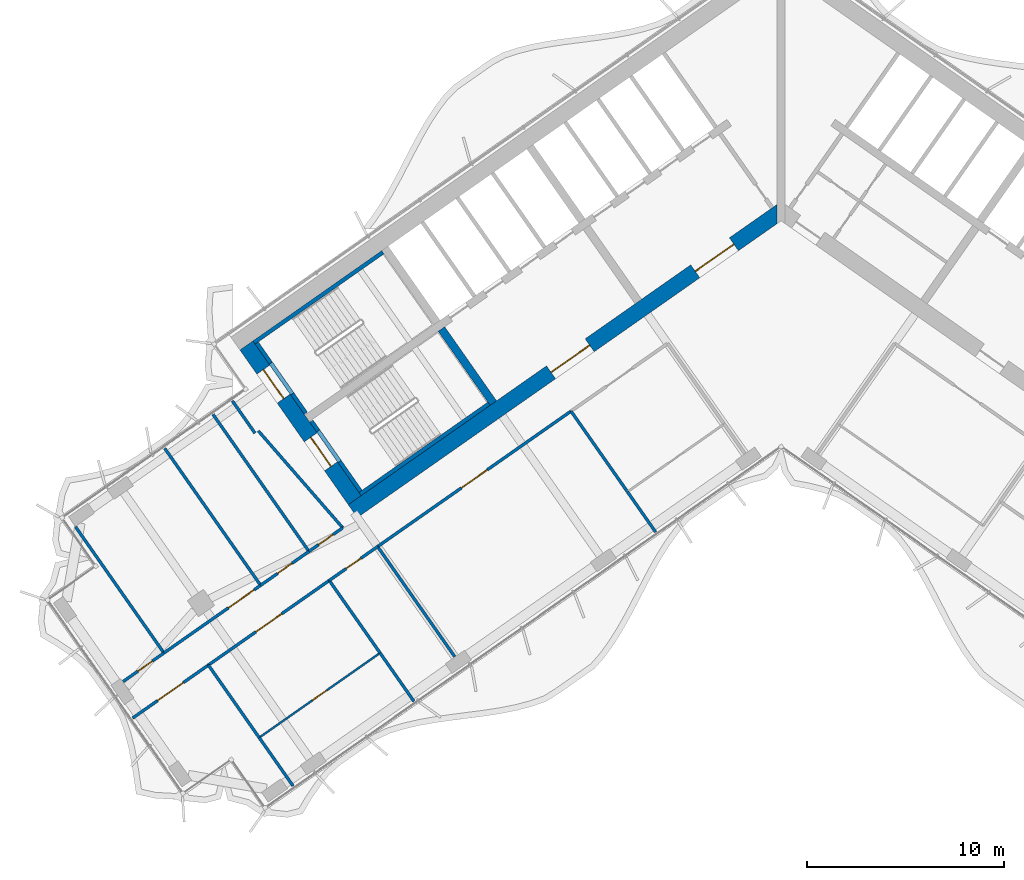
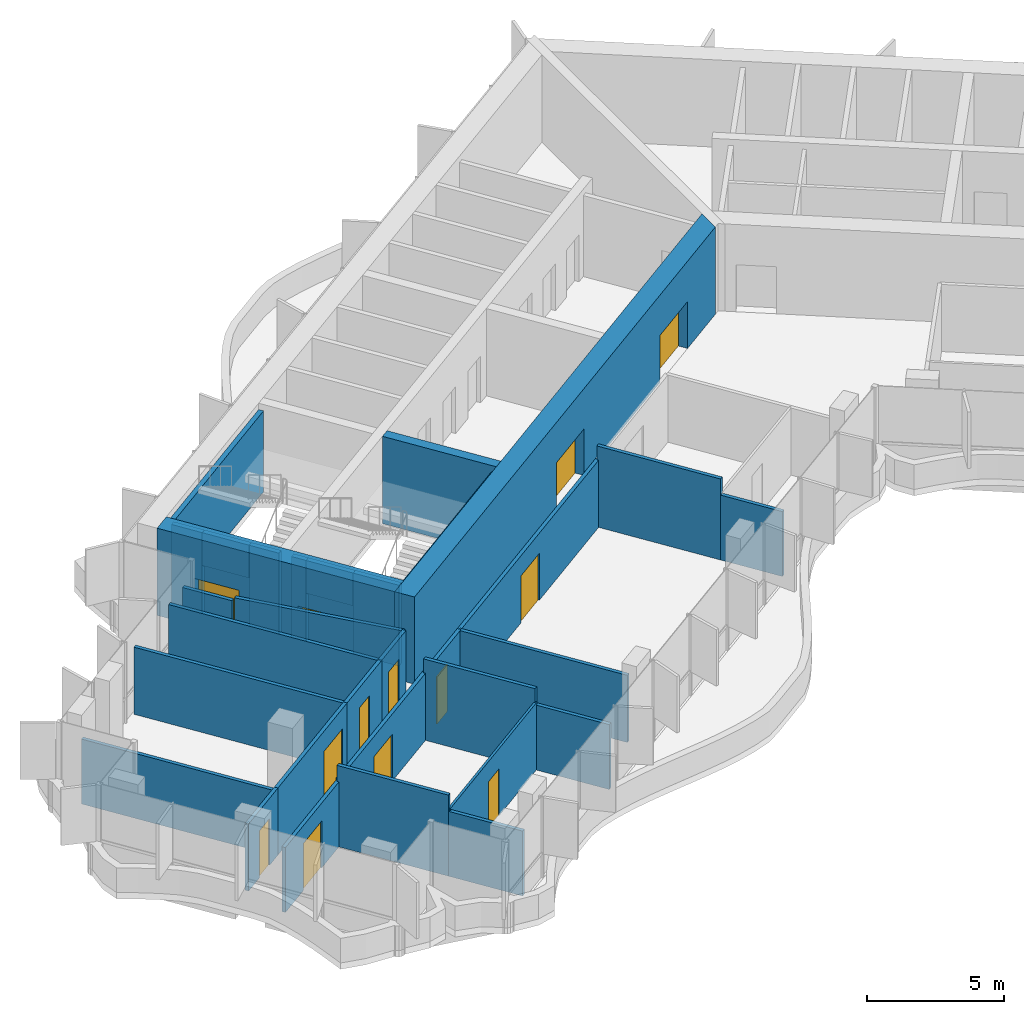
# One storey, part 14 of 23: 32 walls, 13 doors, 13 openings.
"""IFC4 building model written with IfcOpenShell, lengths in metres."""

from ifc_helpers import new_model, si_unit, direction, frame, frame_2d, origin, place, context, subcontext, project, spatial, polyline, rectangle, outline, extrude, material, layer, layer_set, type_object, element, fill, save


model = new_model("IFC4")

# Units and contexts
model_context = context("Model", 3, precision=1e-05, world=origin(), true_north=direction((0.0, 1.0)))
body_context = subcontext(model_context, "Body", "Model", "MODEL_VIEW")
ifc_project = project(units=[si_unit("LENGTHUNIT", "METRE"), si_unit("AREAUNIT", "SQUARE_METRE"), si_unit("VOLUMEUNIT", "CUBIC_METRE"), si_unit("PLANEANGLEUNIT", "RADIAN"), si_unit("MASSUNIT", "GRAM", prefix="KILO")], contexts=[model_context])

# Site, building, storey
site_placement = place(None, origin())
site = spatial("IfcSite", under=ifc_project, at=site_placement, CompositionType="ELEMENT")
building_placement = place(site_placement, origin())
building = spatial("IfcBuilding", under=site, at=building_placement, Name="Tel Ilan Convention Tower", CompositionType="ELEMENT")
storey_placement = place(building_placement, frame((0.0, 0.0, 178.800048828125)))
storey = spatial("IfcBuildingStorey", under=building, at=storey_placement, Name="L41", CompositionType="ELEMENT", Elevation=178.800048828125)

# Wall
ifc_material_1 = material(Name="Concrete C50/60", Category="concrete")
ifc_layer_1 = layer(ifc_material_1, 0.39990234375)
ifc_layer_set_1 = layer_set([ifc_layer_1], Name="Core Shear Wall 400 mm C50/60")
wall_type_1 = type_object("IfcWallType", Name="Core Shear Wall 400 mm C50/60", PredefinedType="SHEAR", material=ifc_layer_set_1)
wall_1_placement = place(storey_placement, frame((-14.6298828125, -10.48828125, 0.0), z_axis=(0.0, 0.0, 1.0), x_axis=(-0.573611936273, 0.819127185829, 0.0)))
element("IfcWall", 1, at=wall_1_placement, inside=storey, type_object=wall_type_1, Name="L41 core wall W-cross2-1", PredefinedType="SHEAR", context=body_context, shape_type="SweptSolid", body=[
    extrude(outline(polyline([(4.60009765625, 0.199951171875), (0.000244140625, 0.2001953125), (0.000244140625, -0.199951171875), (4.60009765625, -0.2001953125), (4.60009765625, 0.199951171875)])), origin(), (0.0, 0.0, 1.0), 3.89990234375),
])

# Wall, openings, doors
ifc_material_2 = material(Name="Concrete C50/60", Category="concrete")
ifc_layer_2 = layer(ifc_material_2, 0.800048828125)
ifc_layer_set_2 = layer_set([ifc_layer_2], Name="Core Shear Wall 800 mm C50/60")
wall_type_2 = type_object("IfcWallType", Name="Core Shear Wall 800 mm C50/60", PredefinedType="SHEAR", material=ifc_layer_set_2)
wall_2_placement = place(storey_placement, frame((0.029296875, -0.7119140625, 0.0), z_axis=(0.0, 0.0, 1.0), x_axis=(-0.819151758019, -0.573576845187, 0.0)))
wall_2 = element("IfcWall", 2, at=wall_2_placement, inside=storey, type_object=wall_type_2, Name="L41 core wall W-front", PredefinedType="SHEAR", context=body_context, shape_type="SweptSolid", body=[
    extrude(outline(polyline([(26.61572265625, 0.39990234375), (0.56005859375, 0.39990234375), (-0.000244140625, -0.39990234375), (26.61572265625, -0.39990234375), (26.61572265625, 0.39990234375)])), origin(), (0.0, 0.0, 1.0), 3.89990234375),
])
opening_1_placement = place(wall_2_placement, frame((2.9658203125, 0.0, 0.0)))
opening_1 = element("IfcOpeningElement", 3, at=opening_1_placement, cuts=wall_2, Name="Opening CD3105", PredefinedType="OPENING", context=body_context, shape_type="SweptSolid", body=[
    extrude(rectangle(XDim=2.39990234375, YDim=2.10009765625, at=frame_2d((1.199951171875, 1.050048828125))), frame((0.0, 0.409912109375, 0.0), z_axis=(0.0, -1.0, 0.0), x_axis=(1.0, 0.0, 0.0)), (0.0, 0.0, 1.0), 0.820068359375),
])
opening_2_placement = place(wall_2_placement, frame((11.915771484375, 0.0, 0.0)))
opening_2 = element("IfcOpeningElement", 4, at=opening_2_placement, cuts=wall_2, Name="Opening CD3106", PredefinedType="OPENING", context=body_context, shape_type="SweptSolid", body=[
    extrude(rectangle(XDim=2.39990234375, YDim=2.10009765625, at=frame_2d((1.199951171875, 1.050048828125))), frame((0.0, 0.409912109375, 0.0), z_axis=(0.0, -1.0, 0.0), x_axis=(1.0, 0.0, 0.0)), (0.0, 0.0, 1.0), 0.820068359375),
])
ifc_material_3 = material(Name="Glazed Aluminium Door Leaf", Category="aluminium")
door_type_1 = type_object("IfcDoorType", Name="Lobby Opening Door 2400 x 2100 FD60S", OperationType="NOTDEFINED", PredefinedType="DOOR", material=ifc_material_3)
door_1_placement = place(opening_1_placement, origin())
door_1 = element("IfcDoor", 5, at=door_1_placement, inside=storey, type_object=door_type_1, Name="Lift Lobby LR1-LR4 opening", OperationType="DOUBLE_DOOR_SINGLE_SWING", OverallHeight=2.10009765625, OverallWidth=2.39990234375, PredefinedType="DOOR", context=body_context, shape_type="SweptSolid", body=[
    extrude(rectangle(XDim=2.39990234375, YDim=2.10009765625, at=frame_2d((1.199951171875, 1.050048828125))), frame((0.0, 0.02490234375, 0.0), z_axis=(0.0, -1.0, 0.0), x_axis=(1.0, 0.0, 0.0)), (0.0, 0.0, 1.0), 0.050048828125),
])
fill(opening_1, door_1)
door_2_placement = place(opening_2_placement, origin())
door_2 = element("IfcDoor", 6, at=door_2_placement, inside=storey, type_object=door_type_1, Name="Lift Lobby LR5-LR8 opening", OperationType="DOUBLE_DOOR_SINGLE_SWING", OverallHeight=2.10009765625, OverallWidth=2.39990234375, PredefinedType="DOOR", context=body_context, shape_type="SweptSolid", body=[
    extrude(rectangle(XDim=2.39990234375, YDim=2.10009765625, at=frame_2d((1.199951171875, 1.050048828125))), frame((0.0, 0.02490234375, 0.0), z_axis=(0.0, -1.0, 0.0), x_axis=(1.0, 0.0, 0.0)), (0.0, 0.0, 1.0), 0.050048828125),
])
fill(opening_2, door_2)

wall_3_placement = place(storey_placement, frame((-21.6748046875, -15.4208984375, 0.0), z_axis=(0.0, 0.0, 1.0), x_axis=(-0.573581815061, 0.819148278049, 0.0)))
wall_3 = element("IfcWall", 7, at=wall_3_placement, inside=storey, type_object=wall_type_2, Name="L41 core wall W-end", PredefinedType="SHEAR", context=body_context, shape_type="SweptSolid", body=[
    extrude(outline(polyline([(0.0, 0.39990234375), (0.0, -0.39990234375), (9.599853515625, -0.400146484375), (9.599853515625, 0.39990234375), (0.0, 0.39990234375)])), origin(), (0.0, 0.0, 1.0), 3.89990234375),
])
opening_3_placement = place(wall_3_placement, frame((6.300048828125, 0.0, 0.0)))
opening_3 = element("IfcOpeningElement", 8, at=opening_3_placement, cuts=wall_3, Name="Opening SD3101", PredefinedType="OPENING", context=body_context, shape_type="SweptSolid", body=[
    extrude(rectangle(XDim=1.800048828125, YDim=2.10009765625, at=frame_2d((0.89990234375, 1.050048828125))), frame((0.0, 0.409912109375, 0.0), z_axis=(0.0, -1.0, 0.0), x_axis=(1.0, 0.0, 0.0)), (0.0, 0.0, 1.0), 0.820068359375),
])
opening_4_placement = place(wall_3_placement, frame((2.10009765625, 0.0, 0.0)))
opening_4 = element("IfcOpeningElement", 9, at=opening_4_placement, cuts=wall_3, Name="Opening SD3102", PredefinedType="OPENING", context=body_context, shape_type="SweptSolid", body=[
    extrude(rectangle(XDim=1.800048828125, YDim=2.10009765625, at=frame_2d((0.89990234375, 1.050048828125))), frame((0.0, 0.409912109375, 0.0), z_axis=(0.0, -1.0, 0.0), x_axis=(1.0, 0.0, 0.0)), (0.0, 0.0, 1.0), 0.820068359375),
])
ifc_material_4 = material(Name="Galvanised Steel Door Leaf", Category="steel")
door_type_2 = type_object("IfcDoorType", Name="Stair Fire Door 1800 x 2100 FD60S", OperationType="NOTDEFINED", PredefinedType="DOOR", material=ifc_material_4)
door_3_placement = place(opening_3_placement, origin())
door_3 = element("IfcDoor", 10, at=door_3_placement, inside=storey, type_object=door_type_2, Name="Stair S1 door", OperationType="DOUBLE_DOOR_SINGLE_SWING", OverallHeight=2.10009765625, OverallWidth=1.800048828125, PredefinedType="DOOR", context=body_context, shape_type="SweptSolid", body=[
    extrude(rectangle(XDim=1.800048828125, YDim=2.10009765625, at=frame_2d((0.89990234375, 1.050048828125))), frame((0.0, 0.02490234375, 0.0), z_axis=(0.0, -1.0, 0.0), x_axis=(1.0, 0.0, 0.0)), (0.0, 0.0, 1.0), 0.050048828125),
])
fill(opening_3, door_3)
door_4_placement = place(opening_4_placement, origin())
door_4 = element("IfcDoor", 11, at=door_4_placement, inside=storey, type_object=door_type_2, Name="Stair S2 door", OperationType="DOUBLE_DOOR_SINGLE_SWING", OverallHeight=2.10009765625, OverallWidth=1.800048828125, PredefinedType="DOOR", context=body_context, shape_type="SweptSolid", body=[
    extrude(rectangle(XDim=1.800048828125, YDim=2.10009765625, at=frame_2d((0.89990234375, 1.050048828125))), frame((0.0, 0.02490234375, 0.0), z_axis=(0.0, -1.0, 0.0), x_axis=(1.0, 0.0, 0.0)), (0.0, 0.0, 1.0), 0.050048828125),
])
fill(opening_4, door_4)

# Wall, opening, door
ifc_material_5 = material(Name="Plasterboard on Steel Studs", Category="steel")
ifc_layer_3 = layer(ifc_material_5, 0.14990234375)
ifc_layer_set_3 = layer_set([ifc_layer_3], Name="Fire-rated Partition 150 EI 60")
wall_type_3 = type_object("IfcWallType", Name="Fire-rated Partition 150 EI 60", PredefinedType="PARTITIONING", material=ifc_layer_set_3)
wall_4_placement = place(storey_placement, frame((-24.002197265625, -18.028076171875, 0.0), z_axis=(0.0, 0.0, 1.0), x_axis=(0.819144473797, 0.573587247982, 0.0)))
wall_4 = element("IfcWall", 12, at=wall_4_placement, inside=storey, type_object=wall_type_3, Name="Partition 008", PredefinedType="PARTITIONING", context=body_context, shape_type="SweptSolid", body=[
    extrude(rectangle(XDim=2.098876953125, YDim=0.14990234375, at=frame_2d((1.04931640625, 0.0))), origin(), (0.0, 0.0, 1.0), 3.0),
])
opening_5_placement = place(wall_4_placement, frame((0.599365234375, 0.0, 0.0)))
opening_5 = element("IfcOpeningElement", 13, at=opening_5_placement, cuts=wall_4, Name="Opening L39-008", PredefinedType="OPENING", context=body_context, shape_type="SweptSolid", body=[
    extrude(rectangle(XDim=0.89990234375, YDim=2.10009765625, at=frame_2d((0.449951171875, 1.050048828125))), frame((0.0, 0.0849609375, 0.0), z_axis=(0.0, -1.0, 0.0), x_axis=(1.0, 0.0, 0.0)), (0.0, 0.0, 1.0), 0.169921875),
])
ifc_material_6 = material(Name="Timber Door Leaf in Steel Frame", Category="steel")
door_type_3 = type_object("IfcDoorType", Name="Room Fire Door 900x2100", OperationType="NOTDEFINED", PredefinedType="DOOR", material=ifc_material_6)
door_5_placement = place(opening_5_placement, origin())
door_5 = element("IfcDoor", 14, at=door_5_placement, inside=storey, type_object=door_type_3, Name="Door L39-008", OperationType="SINGLE_SWING_RIGHT", OverallHeight=2.10009765625, OverallWidth=0.89990234375, PredefinedType="DOOR", context=body_context, shape_type="SweptSolid", body=[
    extrude(rectangle(XDim=0.89990234375, YDim=2.10009765625, at=frame_2d((0.449951171875, 1.050048828125))), frame((0.0, 0.02490234375, 0.0), z_axis=(0.0, -1.0, 0.0), x_axis=(1.0, 0.0, 0.0)), (0.0, 0.0, 1.0), 0.050048828125),
])
fill(opening_5, door_5)

wall_5_placement = place(storey_placement, frame((-26.459716796875, -19.748779296875, 0.0), z_axis=(0.0, 0.0, 1.0), x_axis=(0.81916700466, 0.573555070134, 0.0)))
wall_5 = element("IfcWall", 15, at=wall_5_placement, inside=storey, type_object=wall_type_3, Name="Partition 009", PredefinedType="PARTITIONING", context=body_context, shape_type="SweptSolid", body=[
    extrude(rectangle(XDim=3.00390625, YDim=0.14990234375, at=frame_2d((1.501953125, 0.0))), origin(), (0.0, 0.0, 1.0), 3.0),
])
opening_6_placement = place(wall_5_placement, frame((1.052001953125, 0.0, 0.0)))
opening_6 = element("IfcOpeningElement", 16, at=opening_6_placement, cuts=wall_5, Name="Opening L39-009", PredefinedType="OPENING", context=body_context, shape_type="SweptSolid", body=[
    extrude(rectangle(XDim=0.89990234375, YDim=2.10009765625, at=frame_2d((0.449951171875, 1.050048828125))), frame((0.0, 0.0849609375, 0.0), z_axis=(0.0, -1.0, 0.0), x_axis=(1.0, 0.0, 0.0)), (0.0, 0.0, 1.0), 0.169921875),
])
door_6_placement = place(opening_6_placement, origin())
door_6 = element("IfcDoor", 17, at=door_6_placement, inside=storey, type_object=door_type_3, Name="Door L39-009", OperationType="SINGLE_SWING_RIGHT", OverallHeight=2.10009765625, OverallWidth=0.89990234375, PredefinedType="DOOR", context=body_context, shape_type="SweptSolid", body=[
    extrude(rectangle(XDim=0.89990234375, YDim=2.10009765625, at=frame_2d((0.449951171875, 1.050048828125))), frame((0.0, 0.02490234375, 0.0), z_axis=(0.0, -1.0, 0.0), x_axis=(1.0, 0.0, 0.0)), (0.0, 0.0, 1.0), 0.050048828125),
])
fill(opening_6, door_6)

wall_6_placement = place(storey_placement, frame((-31.37451171875, -23.190185546875, 0.0), z_axis=(0.0, 0.0, 1.0), x_axis=(0.819151674578, 0.573576964353, 0.0)))
wall_6 = element("IfcWall", 18, at=wall_6_placement, inside=storey, type_object=wall_type_3, Name="Partition 010", PredefinedType="PARTITIONING", context=body_context, shape_type="SweptSolid", body=[
    extrude(rectangle(XDim=6.003662109375, YDim=0.14990234375, at=frame_2d((3.001953125, 0.0))), origin(), (0.0, 0.0, 1.0), 3.0),
])
opening_7_placement = place(wall_6_placement, frame((4.001953125, 0.0, 0.0)))
opening_7 = element("IfcOpeningElement", 19, at=opening_7_placement, cuts=wall_6, Name="Opening L39-010", PredefinedType="OPENING", context=body_context, shape_type="SweptSolid", body=[
    extrude(rectangle(XDim=1.60009765625, YDim=2.10009765625, at=frame_2d((0.800048828125, 1.050048828125))), frame((0.0, 0.0849609375, 0.0), z_axis=(0.0, -1.0, 0.0), x_axis=(1.0, 0.0, 0.0)), (0.0, 0.0, 1.0), 0.169921875),
])
ifc_material_7 = material(Name="Timber Door Leaf in Steel Frame", Category="steel")
door_type_4 = type_object("IfcDoorType", Name="Tenant Suite Entrance Fire Door 1600x2100", OperationType="NOTDEFINED", PredefinedType="DOOR", material=ifc_material_7)
door_7_placement = place(opening_7_placement, origin())
door_7 = element("IfcDoor", 20, at=door_7_placement, inside=storey, type_object=door_type_4, Name="Door L39-010", OperationType="DOUBLE_DOOR_SINGLE_SWING", OverallHeight=2.10009765625, OverallWidth=1.60009765625, PredefinedType="DOOR", context=body_context, shape_type="SweptSolid", body=[
    extrude(rectangle(XDim=1.60009765625, YDim=2.10009765625, at=frame_2d((0.800048828125, 1.050048828125))), frame((0.0, 0.02490234375, 0.0), z_axis=(0.0, -1.0, 0.0), x_axis=(1.0, 0.0, 0.0)), (0.0, 0.0, 1.0), 0.050048828125),
])
fill(opening_7, door_7)

wall_7_placement = place(storey_placement, frame((-33.4453125, -24.640380859375, 0.0), z_axis=(0.0, 0.0, 1.0), x_axis=(0.819163961478, 0.573559416465, 0.0)))
wall_7 = element("IfcWall", 21, at=wall_7_placement, inside=storey, type_object=wall_type_3, Name="Partition 011", PredefinedType="PARTITIONING", context=body_context, shape_type="SweptSolid", body=[
    extrude(rectangle(XDim=2.53173828125, YDim=0.14990234375, at=frame_2d((1.265869140625, 0.0))), origin(), (0.0, 0.0, 1.0), 3.0),
])
opening_8_placement = place(wall_7_placement, frame((0.916015625, 0.0, 0.0)))
opening_8 = element("IfcOpeningElement", 22, at=opening_8_placement, cuts=wall_7, Name="Opening L39-011", PredefinedType="OPENING", context=body_context, shape_type="SweptSolid", body=[
    extrude(rectangle(XDim=0.89990234375, YDim=2.10009765625, at=frame_2d((0.449951171875, 1.050048828125))), frame((0.0, 0.0849609375, 0.0), z_axis=(0.0, -1.0, 0.0), x_axis=(1.0, 0.0, 0.0)), (0.0, 0.0, 1.0), 0.169921875),
])
door_8_placement = place(opening_8_placement, origin())
door_8 = element("IfcDoor", 23, at=door_8_placement, inside=storey, type_object=door_type_3, Name="Door L39-011", OperationType="SINGLE_SWING_LEFT", OverallHeight=2.10009765625, OverallWidth=0.89990234375, PredefinedType="DOOR", context=body_context, shape_type="SweptSolid", body=[
    extrude(rectangle(XDim=0.89990234375, YDim=2.10009765625, at=frame_2d((0.449951171875, 1.050048828125))), frame((0.0, 0.02490234375, 0.0), z_axis=(0.0, -1.0, 0.0), x_axis=(1.0, 0.0, 0.0)), (0.0, 0.0, 1.0), 0.050048828125),
])
fill(opening_8, door_8)

wall_8_placement = place(storey_placement, frame((-10.6796875, -10.89599609375, 0.0), z_axis=(0.0, 0.0, 1.0), x_axis=(-0.81913827233, -0.573596104244, 0.0)))
wall_8 = element("IfcWall", 24, at=wall_8_placement, inside=storey, type_object=wall_type_3, Name="Partition 013", PredefinedType="PARTITIONING", context=body_context, shape_type="SweptSolid", body=[
    extrude(rectangle(XDim=12.004150390625, YDim=0.14990234375, at=frame_2d((6.001953125, 0.0))), origin(), (0.0, 0.0, 1.0), 3.0),
])
opening_9_placement = place(wall_8_placement, frame((5.201904296875, 0.0, 0.0)))
opening_9 = element("IfcOpeningElement", 25, at=opening_9_placement, cuts=wall_8, Name="Opening L39-003", PredefinedType="OPENING", context=body_context, shape_type="SweptSolid", body=[
    extrude(rectangle(XDim=1.60009765625, YDim=2.10009765625, at=frame_2d((0.800048828125, 1.050048828125))), frame((0.0, 0.0849609375, 0.0), z_axis=(0.0, -1.0, 0.0), x_axis=(1.0, 0.0, 0.0)), (0.0, 0.0, 1.0), 0.169921875),
])
door_9_placement = place(opening_9_placement, origin())
door_9 = element("IfcDoor", 26, at=door_9_placement, inside=storey, type_object=door_type_4, Name="Door L39-003", OperationType="DOUBLE_DOOR_SINGLE_SWING", OverallHeight=2.10009765625, OverallWidth=1.60009765625, PredefinedType="DOOR", context=body_context, shape_type="SweptSolid", body=[
    extrude(rectangle(XDim=1.60009765625, YDim=2.10009765625, at=frame_2d((0.800048828125, 1.050048828125))), frame((0.0, 0.02490234375, 0.0), z_axis=(0.0, -1.0, 0.0), x_axis=(1.0, 0.0, 0.0)), (0.0, 0.0, 1.0), 0.050048828125),
])
fill(opening_9, door_9)

wall_9_placement = place(storey_placement, frame((-20.509521484375, -17.779052734375, 0.0), z_axis=(0.0, 0.0, 1.0), x_axis=(-0.819128818764, -0.573609604409, 0.0)))
wall_9 = element("IfcWall", 27, at=wall_9_placement, inside=storey, type_object=wall_type_3, Name="Partition 014", PredefinedType="PARTITIONING", context=body_context, shape_type="SweptSolid", body=[
    extrude(rectangle(XDim=3.004150390625, YDim=0.14990234375, at=frame_2d((1.501953125, 0.0))), origin(), (0.0, 0.0, 1.0), 3.0),
])
opening_10_placement = place(wall_9_placement, frame((1.052001953125, 0.0, 0.0)))
opening_10 = element("IfcOpeningElement", 28, at=opening_10_placement, cuts=wall_9, Name="Opening L39-004", PredefinedType="OPENING", context=body_context, shape_type="SweptSolid", body=[
    extrude(rectangle(XDim=0.89990234375, YDim=2.10009765625, at=frame_2d((0.449951171875, 1.050048828125))), frame((0.0, 0.0849609375, 0.0), z_axis=(0.0, -1.0, 0.0), x_axis=(1.0, 0.0, 0.0)), (0.0, 0.0, 1.0), 0.169921875),
])
door_10_placement = place(opening_10_placement, origin())
door_10 = element("IfcDoor", 29, at=door_10_placement, inside=storey, type_object=door_type_3, Name="Door L39-004", OperationType="SINGLE_SWING_LEFT", OverallHeight=2.10009765625, OverallWidth=0.89990234375, PredefinedType="DOOR", context=body_context, shape_type="SweptSolid", body=[
    extrude(rectangle(XDim=0.89990234375, YDim=2.10009765625, at=frame_2d((0.449951171875, 1.050048828125))), frame((0.0, 0.02490234375, 0.0), z_axis=(0.0, -1.0, 0.0), x_axis=(1.0, 0.0, 0.0)), (0.0, 0.0, 1.0), 0.050048828125),
])
fill(opening_10, door_10)

wall_10_placement = place(storey_placement, frame((-22.966796875, -19.499755859375, 0.0), z_axis=(0.0, 0.0, 1.0), x_axis=(-0.819149375276, -0.573580248078, 0.0)))
wall_10 = element("IfcWall", 30, at=wall_10_placement, inside=storey, type_object=wall_type_3, Name="Partition 015", PredefinedType="PARTITIONING", context=body_context, shape_type="SweptSolid", body=[
    extrude(rectangle(XDim=7.504150390625, YDim=0.14990234375, at=frame_2d((3.751953125, 0.0))), origin(), (0.0, 0.0, 1.0), 3.0),
])
opening_11_placement = place(wall_10_placement, frame((2.951904296875, 0.0, 0.0)))
opening_11 = element("IfcOpeningElement", 31, at=opening_11_placement, cuts=wall_10, Name="Opening L39-005", PredefinedType="OPENING", context=body_context, shape_type="SweptSolid", body=[
    extrude(rectangle(XDim=1.60009765625, YDim=2.10009765625, at=frame_2d((0.800048828125, 1.050048828125))), frame((0.0, 0.0849609375, 0.0), z_axis=(0.0, -1.0, 0.0), x_axis=(1.0, 0.0, 0.0)), (0.0, 0.0, 1.0), 0.169921875),
])
door_11_placement = place(opening_11_placement, origin())
door_11 = element("IfcDoor", 32, at=door_11_placement, inside=storey, type_object=door_type_4, Name="Door L39-005", OperationType="DOUBLE_DOOR_SINGLE_SWING", OverallHeight=2.10009765625, OverallWidth=1.60009765625, PredefinedType="DOOR", context=body_context, shape_type="SweptSolid", body=[
    extrude(rectangle(XDim=1.60009765625, YDim=2.10009765625, at=frame_2d((0.800048828125, 1.050048828125))), frame((0.0, 0.02490234375, 0.0), z_axis=(0.0, -1.0, 0.0), x_axis=(1.0, 0.0, 0.0)), (0.0, 0.0, 1.0), 0.050048828125),
])
fill(opening_11, door_11)

wall_11_placement = place(storey_placement, frame((-29.110595703125, -23.801513671875, 0.0), z_axis=(0.0, 0.0, 1.0), x_axis=(-0.819139214842, -0.573594758263, 0.0)))
wall_11 = element("IfcWall", 33, at=wall_11_placement, inside=storey, type_object=wall_type_3, Name="Partition 016", PredefinedType="PARTITIONING", context=body_context, shape_type="SweptSolid", body=[
    extrude(rectangle(XDim=4.701904296875, YDim=0.14990234375, at=frame_2d((2.35107421875, 0.0))), origin(), (0.0, 0.0, 1.0), 2.89990234375),
])
opening_12_placement = place(wall_11_placement, frame((1.551025390625, 0.0, 0.0)))
opening_12 = element("IfcOpeningElement", 34, at=opening_12_placement, cuts=wall_11, Name="Opening L39-007", PredefinedType="OPENING", context=body_context, shape_type="SweptSolid", body=[
    extrude(rectangle(XDim=1.60009765625, YDim=2.10009765625, at=frame_2d((0.800048828125, 1.050048828125))), frame((0.0, 0.0849609375, 0.0), z_axis=(0.0, -1.0, 0.0), x_axis=(1.0, 0.0, 0.0)), (0.0, 0.0, 1.0), 0.169921875),
])
door_12_placement = place(opening_12_placement, origin())
door_12 = element("IfcDoor", 35, at=door_12_placement, inside=storey, type_object=door_type_4, Name="Door L39-007", OperationType="DOUBLE_DOOR_SINGLE_SWING", OverallHeight=2.10009765625, OverallWidth=1.60009765625, PredefinedType="DOOR", context=body_context, shape_type="SweptSolid", body=[
    extrude(rectangle(XDim=1.60009765625, YDim=2.10009765625, at=frame_2d((0.800048828125, 1.050048828125))), frame((0.0, 0.02490234375, 0.0), z_axis=(0.0, -1.0, 0.0), x_axis=(1.0, 0.0, 0.0)), (0.0, 0.0, 1.0), 0.050048828125),
])
fill(opening_12, door_12)

# Walls
wall_12_placement = place(storey_placement, frame((-26.74609375, -12.013671875, 0.0), z_axis=(0.0, 0.0, 1.0), x_axis=(-0.573568836472, 0.819157365729, 0.0)))
element("IfcWall", 36, at=wall_12_placement, inside=storey, type_object=wall_type_3, Name="Partition 035", PredefinedType="PARTITIONING", context=body_context, shape_type="SweptSolid", body=[
    extrude(rectangle(XDim=2.000244140625, YDim=0.14990234375, at=frame_2d((1.0, 0.0))), origin(), (0.0, 0.0, 1.0), 3.0),
])
wall_13_placement = place(storey_placement, frame((-22.28369140625, -16.826416015625, 0.0), z_axis=(0.0, 0.0, 1.0), x_axis=(-0.656758142177, 0.754101281449, 0.0)))
element("IfcWall", 37, at=wall_13_placement, inside=storey, type_object=wall_type_3, Name="Partition 036", PredefinedType="PARTITIONING", context=body_context, shape_type="SweptSolid", body=[
    extrude(rectangle(XDim=6.53857421875, YDim=0.14990234375, at=frame_2d((3.269287109375, 0.0))), origin(), (0.0, 0.0, 1.0), 3.0),
])
for number, where, z_axis, x_axis, name in (
    (38, (-24.0009765625, -18.0263671875, 0.0), (0.0, 0.0, 1.0), (-0.573591492816, 0.819141501433, 0.0), "Partition 037"),
    (39, (-26.45849609375, -19.747314453125, 0.0), (0.0, 0.0, 1.0), (-0.573558724475, 0.819164445993, 0.0), "Partition 038"),
):
    element("IfcWall", number, at=place(storey_placement, frame(where, z_axis=z_axis, x_axis=x_axis)), inside=storey, type_object=wall_type_3, Name=name, PredefinedType="PARTITIONING", context=body_context, shape_type="SweptSolid", body=[
        extrude(rectangle(XDim=8.5, YDim=0.14990234375, at=frame_2d((4.25, 0.0))), origin(), (0.0, 0.0, 1.0), 3.0),
    ])
wall_14_placement = place(storey_placement, frame((-31.373291015625, -23.188720703125, 0.0), z_axis=(0.0, 0.0, 1.0), x_axis=(-0.573579523489, 0.819149882643, 0.0)))
element("IfcWall", 40, at=wall_14_placement, inside=storey, type_object=wall_type_3, Name="Partition 039", PredefinedType="PARTITIONING", context=body_context, shape_type="SweptSolid", body=[
    extrude(rectangle(XDim=7.830078125, YDim=0.14990234375, at=frame_2d((3.9150390625, 0.0))), origin(), (0.0, 0.0, 1.0), 2.89990234375),
])
wall_15_placement = place(storey_placement, frame((-6.37939453125, -17.041015625, 0.0), z_axis=(0.0, 0.0, 1.0), x_axis=(-0.573560689761, 0.819163069945, 0.0)))
element("IfcWall", 41, at=wall_15_placement, inside=storey, type_object=wall_type_3, Name="Partition 041", PredefinedType="PARTITIONING", context=body_context, shape_type="SweptSolid", body=[
    extrude(rectangle(XDim=2.4990234375, YDim=0.14990234375, at=frame_2d((1.24951171875, 0.0))), origin(), (0.0, 0.0, 1.0), 2.89990234375),
])
wall_16_placement = place(storey_placement, frame((-7.8134765625, -14.992919921875, 0.0), z_axis=(0.0, 0.0, 1.0), x_axis=(-0.573586866468, 0.819144740944, 0.0)))
element("IfcWall", 42, at=wall_16_placement, inside=storey, type_object=wall_type_3, Name="Partition 042", PredefinedType="PARTITIONING", context=body_context, shape_type="SweptSolid", body=[
    extrude(rectangle(XDim=5.0, YDim=0.14990234375, at=frame_2d((2.5, 0.0))), origin(), (0.0, 0.0, 1.0), 3.619873046875),
])
wall_17_placement = place(storey_placement, frame((-16.593505859375, -23.375, 0.0), z_axis=(0.0, 0.0, 1.0), x_axis=(-0.573577493031, 0.819151304393, 0.0)))
element("IfcWall", 43, at=wall_17_placement, inside=storey, type_object=wall_type_3, Name="Partition 043", PredefinedType="PARTITIONING", context=body_context, shape_type="SweptSolid", body=[
    extrude(rectangle(XDim=6.829833984375, YDim=0.14990234375, at=frame_2d((3.4150390625, 0.0))), origin(), (0.0, 0.0, 1.0), 3.0),
])
wall_18_placement = place(storey_placement, frame((-18.666748046875, -25.64453125, 0.0), z_axis=(0.0, 0.0, 1.0), x_axis=(-0.573555162214, 0.819166940189, 0.0)))
element("IfcWall", 44, at=wall_18_placement, inside=storey, type_object=wall_type_3, Name="Partition 044", PredefinedType="PARTITIONING", context=body_context, shape_type="SweptSolid", body=[
    extrude(rectangle(XDim=3.0009765625, YDim=0.14990234375, at=frame_2d((1.50048828125, 0.0))), origin(), (0.0, 0.0, 1.0), 2.89990234375),
])
wall_19_placement = place(storey_placement, frame((-20.38623046875, -23.188720703125, 0.0), z_axis=(0.0, 0.0, 1.0), x_axis=(-0.573589723117, 0.819142740634, 0.0)))
element("IfcWall", 45, at=wall_19_placement, inside=storey, type_object=wall_type_3, Name="Partition 045", PredefinedType="PARTITIONING", context=body_context, shape_type="SweptSolid", body=[
    extrude(rectangle(XDim=4.501953125, YDim=0.14990234375, at=frame_2d((2.2509765625, 0.0))), origin(), (0.0, 0.0, 1.0), 3.619873046875),
])
wall_20_placement = place(storey_placement, frame((-24.810302734375, -29.9462890625, 0.0), z_axis=(0.0, 0.0, 1.0), x_axis=(-0.573604390867, 0.819132469615, 0.0)))
element("IfcWall", 46, at=wall_20_placement, inside=storey, type_object=wall_type_3, Name="Partition 047", PredefinedType="PARTITIONING", context=body_context, shape_type="SweptSolid", body=[
    extrude(rectangle(XDim=2.9990234375, YDim=0.14990234375, at=frame_2d((1.49951171875, 0.0))), origin(), (0.0, 0.0, 1.0), 2.89990234375),
])
wall_21_placement = place(storey_placement, frame((-26.531005859375, -27.489013671875, 0.0), z_axis=(0.0, 0.0, 1.0), x_axis=(-0.573597054147, 0.819137607166, 0.0)))
element("IfcWall", 47, at=wall_21_placement, inside=storey, type_object=wall_type_3, Name="Partition 048", PredefinedType="PARTITIONING", context=body_context, shape_type="SweptSolid", body=[
    extrude(rectangle(XDim=4.500244140625, YDim=0.14990234375, at=frame_2d((2.25, 0.0))), origin(), (0.0, 0.0, 1.0), 3.619873046875),
])

# Wall, opening, door
ifc_material_8 = material(Name="Plasterboard on Steel Studs", Category="steel")
ifc_layer_4 = layer(ifc_material_8, 0.10009765625)
ifc_layer_set_4 = layer_set([ifc_layer_4], Name="Plasterboard Partition 100")
wall_type_4 = type_object("IfcWallType", Name="Plasterboard Partition 100", PredefinedType="PARTITIONING", material=ifc_layer_set_4)
wall_22_placement = place(storey_placement, frame((-20.386962890625, -23.18798828125, 0.0), z_axis=(0.0, 0.0, 1.0), x_axis=(-0.81915238829, -0.573575945067, 0.0)))
wall_22 = element("IfcWall", 48, at=wall_22_placement, inside=storey, type_object=wall_type_4, Name="Partition 046", PredefinedType="PARTITIONING", context=body_context, shape_type="SweptSolid", body=[
    extrude(rectangle(XDim=7.5, YDim=0.10009765625, at=frame_2d((3.75, 0.0))), origin(), (0.0, 0.0, 1.0), 3.0),
])
opening_13_placement = place(wall_22_placement, frame((3.300048828125, 0.0, 0.0)))
opening_13 = element("IfcOpeningElement", 49, at=opening_13_placement, cuts=wall_22, Name="Opening L39-006", PredefinedType="OPENING", context=body_context, shape_type="SweptSolid", body=[
    extrude(rectangle(XDim=0.89990234375, YDim=2.10009765625, at=frame_2d((0.449951171875, 1.050048828125))), frame((0.0, 0.06005859375, 0.0), z_axis=(0.0, -1.0, 0.0), x_axis=(1.0, 0.0, 0.0)), (0.0, 0.0, 1.0), 0.1201171875),
])
ifc_material_9 = material(Name="Timber Door Leaf in Steel Frame", Category="steel")
door_type_5 = type_object("IfcDoorType", Name="Room Timber Door 900x2100", OperationType="NOTDEFINED", PredefinedType="DOOR", material=ifc_material_9)
door_13_placement = place(opening_13_placement, origin())
door_13 = element("IfcDoor", 50, at=door_13_placement, inside=storey, type_object=door_type_5, Name="Door L39-006", OperationType="SINGLE_SWING_RIGHT", OverallHeight=2.10009765625, OverallWidth=0.89990234375, PredefinedType="DOOR", context=body_context, shape_type="SweptSolid", body=[
    extrude(rectangle(XDim=0.89990234375, YDim=2.10009765625, at=frame_2d((0.449951171875, 1.050048828125))), frame((0.0, 0.02490234375, 0.0), z_axis=(0.0, -1.0, 0.0), x_axis=(1.0, 0.0, 0.0)), (0.0, 0.0, 1.0), 0.050048828125),
])
fill(opening_13, door_13)

# Walls
ifc_material_10 = material(Name="Concrete C30/37", Category="concrete")
ifc_layer_5 = layer(ifc_material_10, 0.199951171875)
ifc_layer_set_5 = layer_set([ifc_layer_5], Name="Stair and Shaft Lining Wall 200 mm C30/37")
wall_type_5 = type_object("IfcWallType", Name="Stair and Shaft Lining Wall 200 mm C30/37", PredefinedType="SOLIDWALL", material=ifc_layer_set_5)
wall_23_placement = place(storey_placement, frame((-20.242919921875, -2.821044921875, 0.0), z_axis=(0.0, 0.0, 1.0), x_axis=(-0.819141584393, -0.57359137434, 0.0)))
element("IfcWall", 51, at=wall_23_placement, inside=storey, type_object=wall_type_5, Name="L41 core wall lining-S1-t1", PredefinedType="SOLIDWALL", context=body_context, shape_type="SweptSolid", body=[
    extrude(rectangle(XDim=7.999755859375, YDim=0.199951171875, at=frame_2d((4.0, 0.0))), origin(), (0.0, 0.0, 1.0), 3.619873046875),
])
wall_24_placement = place(storey_placement, frame((-24.16162109375, -10.99755859375, 0.0), z_axis=(0.0, 0.0, 1.0), x_axis=(-0.573612502218, 0.819126789514, 0.0)))
element("IfcWall", 52, at=wall_24_placement, inside=storey, type_object=wall_type_5, Name="L41 core wall lining-S1-u1-0", PredefinedType="SOLIDWALL", context=body_context, shape_type="SweptSolid", body=[
    extrude(rectangle(XDim=1.2001953125, YDim=0.199951171875, at=frame_2d((0.60009765625, 0.0))), origin(), (0.0, 0.0, 1.0), 3.619873046875),
])
wall_25_placement = place(storey_placement, frame((-25.939697265625, -8.4580078125, 0.0), z_axis=(0.0, 0.0, 1.0), x_axis=(-0.573619628835, 0.819121798889, 0.0)))
element("IfcWall", 53, at=wall_25_placement, inside=storey, type_object=wall_type_5, Name="L41 core wall lining-S1-u1-1", PredefinedType="SOLIDWALL", context=body_context, shape_type="SweptSolid", body=[
    extrude(rectangle(XDim=1.25, YDim=0.199951171875, at=frame_2d((0.625, 0.0))), origin(), (0.0, 0.0, 1.0), 3.619873046875),
])
wall_26_placement = place(storey_placement, frame((-24.85009765625, -10.014404296875, 2.14990234375), z_axis=(0.0, 0.0, 1.0), x_axis=(-0.573505465124, 0.819201734296, 0.0)))
element("IfcWall", 54, at=wall_26_placement, inside=storey, type_object=wall_type_5, Name="L41 core wall lining-S1-u1-lintel", PredefinedType="SOLIDWALL", context=body_context, shape_type="SweptSolid", body=[
    extrude(rectangle(XDim=1.89990234375, YDim=0.199951171875, at=frame_2d((0.949951171875, 0.0))), origin(), (0.0, 0.0, 1.0), 1.469970703125),
])
wall_27_placement = place(storey_placement, frame((-14.851318359375, -10.52099609375, 0.0), z_axis=(0.0, 0.0, 1.0), x_axis=(-0.819141584393, -0.57359137434, 0.0)))
element("IfcWall", 55, at=wall_27_placement, inside=storey, type_object=wall_type_5, Name="L41 core wall lining-S2-t0", PredefinedType="SOLIDWALL", context=body_context, shape_type="SweptSolid", body=[
    extrude(rectangle(XDim=7.999755859375, YDim=0.199951171875, at=frame_2d((4.0, 0.0))), origin(), (0.0, 0.0, 1.0), 3.619873046875),
])
wall_28_placement = place(storey_placement, frame((-21.3798828125, -14.97021484375, 0.0), z_axis=(0.0, 0.0, 1.0), x_axis=(-0.573559770908, 0.819163713305, 0.0)))
element("IfcWall", 56, at=wall_28_placement, inside=storey, type_object=wall_type_5, Name="L41 core wall lining-S2-u1-0", PredefinedType="SOLIDWALL", context=body_context, shape_type="SweptSolid", body=[
    extrude(rectangle(XDim=1.849853515625, YDim=0.199951171875, at=frame_2d((0.9248046875, 0.0))), origin(), (0.0, 0.0, 1.0), 3.619873046875),
])
wall_29_placement = place(storey_placement, frame((-23.53076171875, -11.8984375, 0.0), z_axis=(0.0, 0.0, 1.0), x_axis=(-0.573708088123, 0.819059844958, 0.0)))
element("IfcWall", 57, at=wall_29_placement, inside=storey, type_object=wall_type_5, Name="L41 core wall lining-S2-u1-1", PredefinedType="SOLIDWALL", context=body_context, shape_type="SweptSolid", body=[
    extrude(rectangle(XDim=0.60009765625, YDim=0.199951171875, at=frame_2d((0.300048828125, 0.0))), origin(), (0.0, 0.0, 1.0), 3.619873046875),
])
wall_30_placement = place(storey_placement, frame((-22.44091796875, -13.454833984375, 2.14990234375), z_axis=(0.0, 0.0, 1.0), x_axis=(-0.573591692345, 0.819141361715, 0.0)))
element("IfcWall", 58, at=wall_30_placement, inside=storey, type_object=wall_type_5, Name="L41 core wall lining-S2-u1-lintel", PredefinedType="SOLIDWALL", context=body_context, shape_type="SweptSolid", body=[
    extrude(rectangle(XDim=1.900146484375, YDim=0.199951171875, at=frame_2d((0.9501953125, 0.0))), origin(), (0.0, 0.0, 1.0), 1.469970703125),
])

save(model, "model.ifc")
